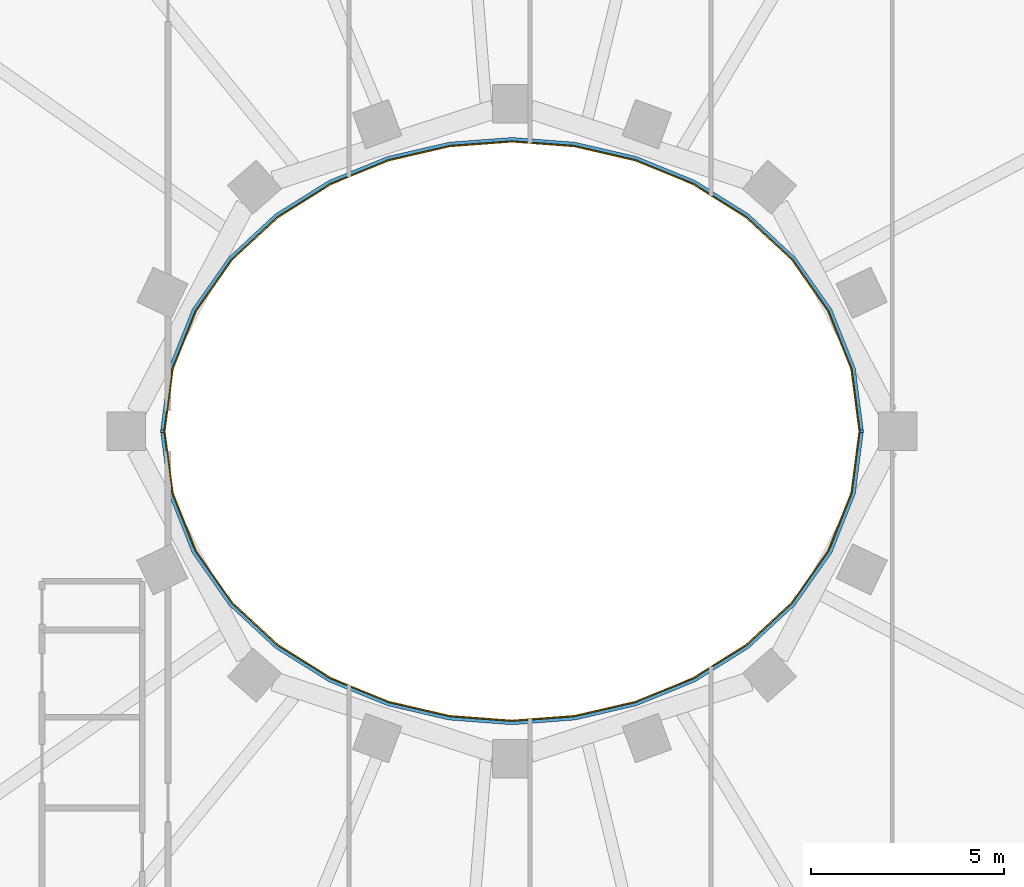
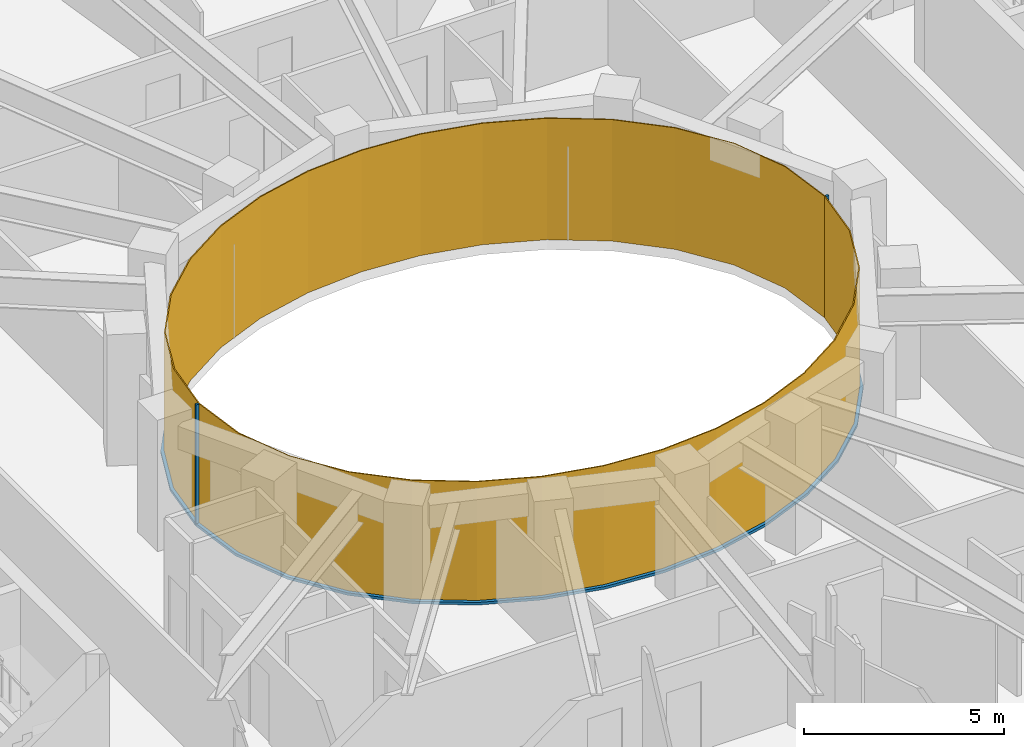
# One storey, part 10 of 15: 4 members, 2 curtain walls.
"""IFC4 building model written with IfcOpenShell, lengths in metres."""

from ifc_helpers import new_model, si_unit, direction, frame, origin, origin_2d, place, context, subcontext, project, spatial, polyline, rectangle, outline, extrude, material, layer, layer_set, material_profile, profile_set, type_object, element, aggregate, save


model = new_model("IFC4")

# Units and contexts
model_context = context("Model", 3, precision=1e-05, world=origin(), true_north=direction((0.0, 1.0)))
body_context = subcontext(model_context, "Body", "Model", "MODEL_VIEW")
ifc_project = project(units=[si_unit("LENGTHUNIT", "METRE"), si_unit("AREAUNIT", "SQUARE_METRE"), si_unit("VOLUMEUNIT", "CUBIC_METRE"), si_unit("PLANEANGLEUNIT", "RADIAN"), si_unit("MASSUNIT", "GRAM", prefix="KILO")], contexts=[model_context])

# Member
ifc_material_1 = material(Name="Steel S355 fire-resisting frame", Category="steel")
ifc_material_profile = material_profile(ifc_material_1, rectangle(XDim=0.090087890625, YDim=0.06005859375, at=origin_2d()), Name="90x60")
ifc_profile_set = profile_set([ifc_material_profile], Name="Steel S355 fire-resisting frame")
member_type_1 = type_object("IfcMemberType", Name="ENV-MULLION-W-90", PredefinedType="MULLION", material=ifc_profile_set)
site_placement = place(None, origin())
building_placement = place(site_placement, origin())
storey_placement = place(building_placement, frame((0.0, 0.0, 253.5)))
member_1_placement = place(storey_placement, frame((9.076904296875, 0.0, 0.0), z_axis=(0.0, 0.0, 1.0), x_axis=(1.0, 0.0, 0.0)))
member_1 = element("IfcMember", 1, at=member_1_placement, type_object=member_type_1, Name="Mullion W well vertex 01", PredefinedType="MULLION", context=body_context, shape_type="SweptSolid", body=[
    extrude(rectangle(XDim=0.090087890625, YDim=0.06005859375, at=origin_2d()), origin(), (0.0, 0.0, 1.0), 3.699951171875),
])

member_2_placement = place(storey_placement, frame((-9.076904296875, 0.0, 0.0), z_axis=(0.0, 0.0, 1.0), x_axis=(-1.0, 0.0, 0.0)))
member_2 = element("IfcMember", 2, at=member_2_placement, type_object=member_type_1, Name="Mullion W well vertex 17", PredefinedType="MULLION", context=body_context, shape_type="SweptSolid", body=[
    extrude(rectangle(XDim=0.090087890625, YDim=0.06005859375, at=origin_2d()), origin(), (0.0, 0.0, 1.0), 3.699951171875),
])

ifc_material_2 = material(Name="Steel S355 fire-resisting frame", Category="steel")
member_type_2 = type_object("IfcMemberType", Name="ENV-TRANSOM-W", PredefinedType="USERDEFINED", material=ifc_material_2)
member_3_placement = place(storey_placement, origin())
member_3 = element("IfcMember", 3, at=member_3_placement, type_object=member_type_2, Name="Transom W well 01-17", ObjectType="TRANSOM", PredefinedType="USERDEFINED", context=body_context, shape_type="SweptSolid", body=[
    extrude(outline(polyline([(9.119384765625, 0.02783203125), (8.910400390625, 1.63623046875), (8.29833984375, 3.167236328125), (7.35107421875, 4.5146484375), (6.1455078125, 5.6337890625), (4.75341796875, 6.50634765625), (3.233642578125, 7.127685546875), (1.635498046875, 7.498779296875), (0.0, 7.622314453125), (-1.635498046875, 7.498779296875), (-3.233642578125, 7.127685546875), (-4.75341796875, 6.50634765625), (-6.1455078125, 5.6337890625), (-7.35107421875, 4.5146484375), (-8.29833984375, 3.167236328125), (-8.910400390625, 1.63623046875), (-9.119384765625, 0.02783203125), (-9.02880859375, 0.02783203125), (-8.822509765625, 1.61328125), (-8.21875, 3.124267578125), (-7.282958984375, 4.455078125), (-6.090576171875, 5.56201171875), (-4.712158203125, 6.426025390625), (-3.206298828125, 7.04150390625), (-1.621826171875, 7.40966796875), (0.0, 7.531982421875), (1.621826171875, 7.40966796875), (3.206298828125, 7.04150390625), (4.712158203125, 6.426025390625), (6.090576171875, 5.56201171875), (7.282958984375, 4.455078125), (8.21875, 3.124267578125), (8.822509765625, 1.61328125), (9.02880859375, 0.02783203125), (9.119384765625, 0.02783203125)])), origin(), (0.0, 0.0, 1.0), 0.080078125),
])

member_4_placement = place(storey_placement, origin())
member_4 = element("IfcMember", 4, at=member_4_placement, type_object=member_type_2, Name="Transom W well 17-01", ObjectType="TRANSOM", PredefinedType="USERDEFINED", context=body_context, shape_type="SweptSolid", body=[
    extrude(outline(polyline([(-9.119384765625, -0.02783203125), (-8.910400390625, -1.63623046875), (-8.29833984375, -3.167236328125), (-7.35107421875, -4.5146484375), (-6.1455078125, -5.6337890625), (-4.75341796875, -6.50634765625), (-3.233642578125, -7.127685546875), (-1.635498046875, -7.498779296875), (0.0, -7.622314453125), (1.635498046875, -7.498779296875), (3.233642578125, -7.127685546875), (4.75341796875, -6.50634765625), (6.1455078125, -5.6337890625), (7.35107421875, -4.5146484375), (8.29833984375, -3.167236328125), (8.910400390625, -1.63623046875), (9.119384765625, -0.02783203125), (9.02880859375, -0.02783203125), (8.822509765625, -1.61328125), (8.21875, -3.124267578125), (7.282958984375, -4.455078125), (6.090576171875, -5.56201171875), (4.712158203125, -6.426025390625), (3.206298828125, -7.04150390625), (1.621826171875, -7.40966796875), (0.0, -7.531982421875), (-1.621826171875, -7.40966796875), (-3.206298828125, -7.04150390625), (-4.712158203125, -6.426025390625), (-6.090576171875, -5.56201171875), (-7.282958984375, -4.455078125), (-8.21875, -3.124267578125), (-8.822509765625, -1.61328125), (-9.02880859375, -0.02783203125), (-9.119384765625, -0.02783203125)])), origin(), (0.0, 0.0, 1.0), 0.080078125),
])

# Site, building, storey
site = spatial("IfcSite", under=ifc_project, at=site_placement, CompositionType="ELEMENT")
building = spatial("IfcBuilding", under=site, at=building_placement, Name="Noorbagh Ring Tower", CompositionType="ELEMENT")
storey = spatial("IfcBuildingStorey", under=building, at=storey_placement, Name="L53", CompositionType="ELEMENT", Elevation=253.5)

# Curtain wall
ifc_material_3 = material(Name="Glass fire-resisting E60 laminated", Category="glass")
ifc_layer = layer(ifc_material_3, 0.031982421875)
ifc_layer_set = layer_set([ifc_layer], Name="Glass fire-resisting E60 laminated")
curtain_wall_type = type_object("IfcCurtainWallType", Name="ENV-CW-W", PredefinedType="NOTDEFINED", material=ifc_layer_set)
curtain_wall_1_placement = place(storey_placement, origin())
curtain_wall_1 = element("IfcCurtainWall", 5, at=curtain_wall_1_placement, inside=storey, type_object=curtain_wall_type, Name="Curtain wall W W01", PredefinedType="NOTDEFINED", context=body_context, shape_type="SweptSolid", body=[
    extrude(outline(polyline([(9.0322265625, 0.0), (8.822509765625, 1.61328125), (8.21875, 3.124267578125), (7.282958984375, 4.455078125), (6.090576171875, 5.56201171875), (4.712158203125, 6.426025390625), (3.206298828125, 7.04150390625), (1.621826171875, 7.40966796875), (0.0, 7.531982421875), (-1.621826171875, 7.40966796875), (-3.206298828125, 7.04150390625), (-4.712158203125, 6.426025390625), (-6.090576171875, 5.56201171875), (-7.282958984375, 4.455078125), (-8.21875, 3.124267578125), (-8.822509765625, 1.61328125), (-9.0322265625, 0.0), (-9.0, 0.0), (-8.79150390625, 1.605224609375), (-8.1904296875, 3.10888671875), (-7.2587890625, 4.43408203125), (-6.071044921875, 5.53662109375), (-4.697509765625, 6.3974609375), (-3.196533203125, 7.010986328125), (-1.6171875, 7.3779296875), (0.0, 7.5), (1.6171875, 7.3779296875), (3.196533203125, 7.010986328125), (4.697509765625, 6.3974609375), (6.071044921875, 5.53662109375), (7.2587890625, 4.43408203125), (8.1904296875, 3.10888671875), (8.79150390625, 1.605224609375), (9.0, 0.0), (9.0322265625, 0.0)])), origin(), (0.0, 0.0, 1.0), 3.699951171875),
])

aggregate(curtain_wall_1, [member_1, member_2, member_3])

curtain_wall_2_placement = place(storey_placement, origin())
curtain_wall_2 = element("IfcCurtainWall", 6, at=curtain_wall_2_placement, inside=storey, type_object=curtain_wall_type, Name="Curtain wall W W17", PredefinedType="NOTDEFINED", context=body_context, shape_type="SweptSolid", body=[
    extrude(outline(polyline([(-9.0322265625, 0.0), (-8.822509765625, -1.61328125), (-8.21875, -3.124267578125), (-7.282958984375, -4.455078125), (-6.090576171875, -5.56201171875), (-4.712158203125, -6.426025390625), (-3.206298828125, -7.04150390625), (-1.621826171875, -7.40966796875), (0.0, -7.531982421875), (1.621826171875, -7.40966796875), (3.206298828125, -7.04150390625), (4.712158203125, -6.426025390625), (6.090576171875, -5.56201171875), (7.282958984375, -4.455078125), (8.21875, -3.124267578125), (8.822509765625, -1.61328125), (9.0322265625, 0.0), (9.0, 0.0), (8.79150390625, -1.605224609375), (8.1904296875, -3.10888671875), (7.2587890625, -4.43408203125), (6.071044921875, -5.53662109375), (4.697509765625, -6.3974609375), (3.196533203125, -7.010986328125), (1.6171875, -7.3779296875), (0.0, -7.5), (-1.6171875, -7.3779296875), (-3.196533203125, -7.010986328125), (-4.697509765625, -6.3974609375), (-6.071044921875, -5.53662109375), (-7.2587890625, -4.43408203125), (-8.1904296875, -3.10888671875), (-8.79150390625, -1.605224609375), (-9.0, 0.0), (-9.0322265625, 0.0)])), origin(), (0.0, 0.0, 1.0), 3.699951171875),
])

aggregate(curtain_wall_2, [member_4])

save(model, "model.ifc")
